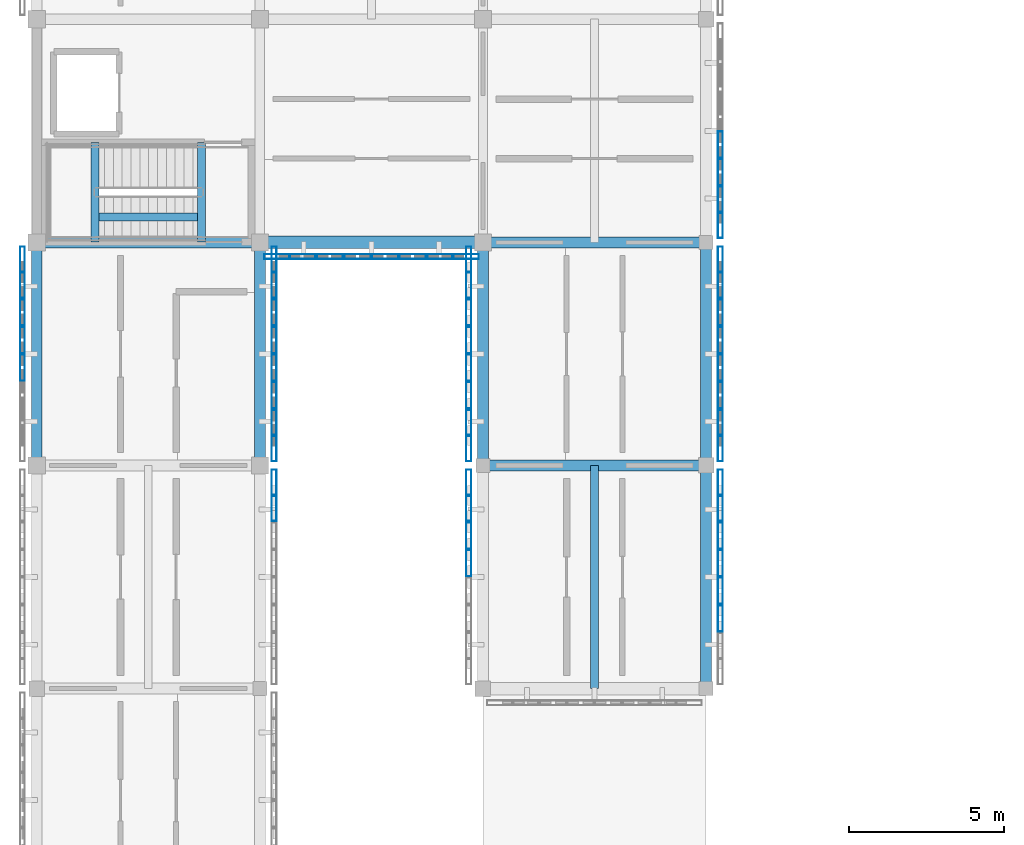
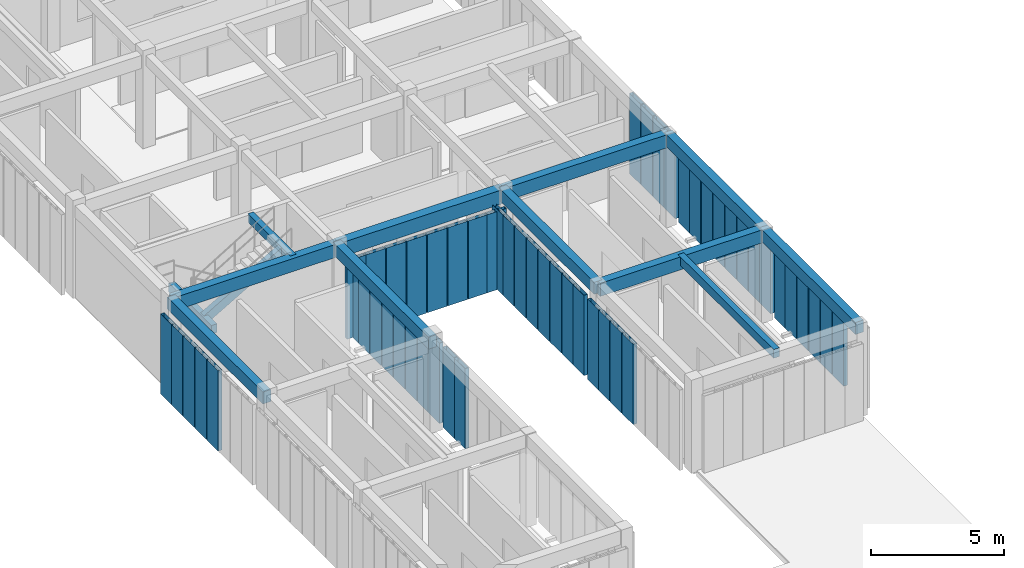
# One storey, part 4 of 91: 53 members, 13 beams, 9 elements without a shape of their own.
"""IFC4 building model written with IfcOpenShell, lengths in metres."""

from ifc_helpers import new_model, si_unit, direction, frame, origin, origin_2d, place, context, subcontext, project, spatial, rectangle, hollow_rectangle, extrude, material, material_profile, profile_set, type_object, element, aggregate, save


model = new_model("IFC4")

# Units and contexts
model_context = context("Model", 3, precision=1e-05, world=origin(), true_north=direction((0.0, 1.0)))
body_context = subcontext(model_context, "Body", "Model", "MODEL_VIEW")
ifc_project = project(units=[si_unit("LENGTHUNIT", "METRE"), si_unit("AREAUNIT", "SQUARE_METRE"), si_unit("VOLUMEUNIT", "CUBIC_METRE"), si_unit("PLANEANGLEUNIT", "RADIAN"), si_unit("MASSUNIT", "GRAM", prefix="KILO")], contexts=[model_context])

# Site, building, storey
site_placement = place(None, origin())
site = spatial("IfcSite", under=ifc_project, at=site_placement, CompositionType="ELEMENT")
building_placement = place(site_placement, origin())
building = spatial("IfcBuilding", under=site, at=building_placement, Name="Aldebral Square Health Centre", CompositionType="ELEMENT")
storey_placement = place(building_placement, frame((0.0, 0.0, 9.0)))
storey = spatial("IfcBuildingStorey", under=building, at=storey_placement, Name="L02", CompositionType="ELEMENT", Elevation=9.0)

# Beams
ifc_material_1 = material(Name="Concrete C40/50", Category="concrete")
ifc_material_profile_1 = material_profile(ifc_material_1, rectangle(XDim=0.39990234375, YDim=0.64990234375, at=origin_2d()), Name="RC 400x650")
ifc_profile_set_1 = profile_set([ifc_material_profile_1], Name="Concrete C40/50")
beam_type_1 = type_object("IfcBeamType", Name="BM-B1", PredefinedType="BEAM", material=ifc_profile_set_1)
beam_1_placement = place(storey_placement, frame((7.199951171875, 28.800048828125, 3.9150390625), z_axis=(1.0, 0.0, 0.0), x_axis=(0.0, 1.0, 0.0)))
element("IfcBeam", 1, at=beam_1_placement, inside=storey, type_object=beam_type_1, Name="L02 X-beam 2-3/G5", PredefinedType="BEAM", context=body_context, shape_type="SweptSolid", body=[
    extrude(rectangle(XDim=0.39990234375, YDim=0.64990234375, at=origin_2d()), origin(), (0.0, 0.0, 1.0), 7.199951171875),
])
ifc_material_profile_2 = material_profile(ifc_material_1, rectangle(XDim=0.35009765625, YDim=0.60009765625, at=origin_2d()), Name="RC 350x600")
ifc_profile_set_2 = profile_set([ifc_material_profile_2], Name="Concrete C40/50")
beam_type_2 = type_object("IfcBeamType", Name="BM-B2", PredefinedType="BEAM", material=ifc_profile_set_2)
beam_2_placement = place(storey_placement, frame((0.0, 28.800048828125, 3.93994140625), z_axis=(1.0, 0.0, 0.0), x_axis=(0.0, 1.0, 0.0)))
element("IfcBeam", 2, at=beam_2_placement, inside=storey, type_object=beam_type_2, Name="L02 X-beam 1-2/G5", PredefinedType="BEAM", context=body_context, shape_type="SweptSolid", body=[
    extrude(rectangle(XDim=0.35009765625, YDim=0.60009765625, at=origin_2d()), origin(), (0.0, 0.0, 1.0), 7.199951171875),
])
for number, where, z_axis, x_axis, name in (
    (3, (14.39990234375, 21.60009765625, 3.93994140625), (1.0, 0.0, 0.0), (0.0, 1.0, 0.0), "L02 X-beam 3-4/G4"),
    (4, (14.39990234375, 28.800048828125, 3.93994140625), (1.0, 0.0, 0.0), (0.0, 1.0, 0.0), "L02 X-beam 3-4/G5"),
):
    element("IfcBeam", number, at=place(storey_placement, frame(where, z_axis=z_axis, x_axis=x_axis)), inside=storey, type_object=beam_type_2, Name=name, PredefinedType="BEAM", context=body_context, shape_type="SweptSolid", body=[
        extrude(rectangle(XDim=0.35009765625, YDim=0.60009765625, at=origin_2d()), origin(), (0.0, 0.0, 1.0), 7.2001953125),
    ])
ifc_material_profile_3 = material_profile(ifc_material_1, rectangle(XDim=0.35009765625, YDim=0.550048828125, at=origin_2d()), Name="RC 350x550")
ifc_profile_set_3 = profile_set([ifc_material_profile_3], Name="Concrete C40/50")
beam_type_3 = type_object("IfcBeamType", Name="BM-B3", PredefinedType="BEAM", material=ifc_profile_set_3)
for number, where, z_axis, x_axis, name in (
    (5, (0.0, 21.60009765625, 3.965087890625), (0.0, 1.0, 0.0), (-1.0, 0.0, 0.0), "L02 Y-beam G1/4-5"),
    (6, (7.199951171875, 21.60009765625, 3.965087890625), (0.0, 1.0, 0.0), (-1.0, 0.0, 0.0), "L02 Y-beam G2/4-5"),
    (7, (14.39990234375, 21.60009765625, 3.965087890625), (0.0, 1.0, 0.0), (-1.0, 0.0, 0.0), "L02 Y-beam G3/4-5"),
):
    element("IfcBeam", number, at=place(storey_placement, frame(where, z_axis=z_axis, x_axis=x_axis)), inside=storey, type_object=beam_type_3, Name=name, PredefinedType="BEAM", context=body_context, shape_type="SweptSolid", body=[
        extrude(rectangle(XDim=0.35009765625, YDim=0.550048828125, at=origin_2d()), origin(), (0.0, 0.0, 1.0), 7.199951171875),
    ])
beam_3_placement = place(storey_placement, frame((21.60009765625, 14.39990234375, 3.965087890625), z_axis=(0.0, 1.0, 0.0), x_axis=(-1.0, 0.0, 0.0)))
element("IfcBeam", 8, at=beam_3_placement, inside=storey, type_object=beam_type_3, Name="L02 Y-beam G4/3-4", PredefinedType="BEAM", context=body_context, shape_type="SweptSolid", body=[
    extrude(rectangle(XDim=0.35009765625, YDim=0.550048828125, at=origin_2d()), origin(), (0.0, 0.0, 1.0), 7.2001953125),
])
beam_4_placement = place(storey_placement, frame((21.60009765625, 21.60009765625, 3.965087890625), z_axis=(0.0, 1.0, 0.0), x_axis=(-1.0, 0.0, 0.0)))
element("IfcBeam", 9, at=beam_4_placement, inside=storey, type_object=beam_type_3, Name="L02 Y-beam G4/4-5", PredefinedType="BEAM", context=body_context, shape_type="SweptSolid", body=[
    extrude(rectangle(XDim=0.35009765625, YDim=0.550048828125, at=origin_2d()), origin(), (0.0, 0.0, 1.0), 7.199951171875),
])
ifc_material_profile_4 = material_profile(ifc_material_1, rectangle(XDim=0.25, YDim=0.39990234375, at=origin_2d()), Name="RC 250x400")
ifc_profile_set_4 = profile_set([ifc_material_profile_4], Name="Concrete C40/50")
beam_type_4 = type_object("IfcBeamType", Name="BM-B6", PredefinedType="JOIST", material=ifc_profile_set_4)
beam_5_placement = place(storey_placement, frame((18.0, 14.39990234375, 4.0400390625), z_axis=(0.0, 1.0, 0.0), x_axis=(-1.0, 0.0, 0.0)))
element("IfcBeam", 10, at=beam_5_placement, inside=storey, type_object=beam_type_4, Name="L02 secondary rib 3.3", PredefinedType="JOIST", context=body_context, shape_type="SweptSolid", body=[
    extrude(rectangle(XDim=0.25, YDim=0.39990234375, at=origin_2d()), origin(), (0.0, 0.0, 1.0), 7.2001953125),
])
for number, where, z_axis, x_axis, name in (
    (11, (1.8798828125, 28.81005859375, 2.050048828125), (0.0, 1.0, 0.0), (-1.0, 0.0, 0.0), "L02 WC-C5 half-landing beam"),
    (12, (5.320068359375, 28.81005859375, 4.0400390625), (0.0, 1.0, 0.0), (-1.0, 0.0, 0.0), "L02 WC-C5 upper landing beam"),
):
    element("IfcBeam", number, at=place(storey_placement, frame(where, z_axis=z_axis, x_axis=x_axis)), inside=storey, type_object=beam_type_4, Name=name, PredefinedType="JOIST", context=body_context, shape_type="SweptSolid", body=[
        extrude(rectangle(XDim=0.25, YDim=0.39990234375, at=origin_2d()), origin(), (0.0, 0.0, 1.0), 3.219970703125),
    ])
beam_6_placement = place(storey_placement, frame((1.8798828125, 29.6201171875, 2.050048828125), z_axis=(0.865611281387, 0.0, 0.500716596025), x_axis=(0.0, 1.0, 0.0)))
element("IfcBeam", 13, at=beam_6_placement, inside=storey, type_object=beam_type_4, Name="L02 WC-C5 flight stringer beam", PredefinedType="JOIST", context=body_context, shape_type="SweptSolid", body=[
    extrude(rectangle(XDim=0.25, YDim=0.39990234375, at=origin_2d()), origin(), (0.0, 0.0, 1.0), 3.974365234375),
])

# Curtain wall, members
ifc_material_2 = material(Name="Aluminium and low-E solar glass", Category="aluminium")
curtain_wall_type = type_object("IfcCurtainWallType", Name="CW-FIN-SYS", PredefinedType="USERDEFINED", material=ifc_material_2)
curtain_wall_1_placement = place(storey_placement, origin())
curtain_wall_1 = element("IfcCurtainWall", 14, at=curtain_wall_1_placement, inside=storey, type_object=curtain_wall_type, Name="L02 V6 finned curtain wall L02-V6-00-02-E", ObjectType="SOLAR_CURTAIN_WALL", PredefinedType="USERDEFINED")
ifc_material_3 = material(Name="Sienna-terracotta clad aluminium fin", Category="masonry")
ifc_material_profile_5 = material_profile(ifc_material_3, hollow_rectangle(XDim=0.159912109375, YDim=0.85009765625, WallThickness=0.006103515625, at=origin_2d()), Name="FIN 160x850x6")
ifc_profile_set_5 = profile_set([ifc_material_profile_5], Name="Sienna-terracotta clad aluminium fin")
member_type = type_object("IfcMemberType", Name="CWM-FIN", PredefinedType="MULLION", material=ifc_profile_set_5)
member_1_placement = place(storey_placement, frame((7.659912109375, 20.228515625, 0.0), z_axis=(0.0, 0.0, 1.0), x_axis=(-1.0, 0.0, 0.0)))
member_1 = element("IfcMember", 15, at=member_1_placement, type_object=member_type, Name="CW1 mullion 7", PredefinedType="MULLION", context=body_context, shape_type="SweptSolid", body=[
    extrude(hollow_rectangle(XDim=0.159912109375, YDim=0.85009765625, WallThickness=0.006103515625, at=origin_2d()), origin(), (0.0, 0.0, 1.0), 3.68994140625),
])
member_2_placement = place(storey_placement, frame((7.659912109375, 21.0400390625, 0.0), z_axis=(0.0, 0.0, 1.0), x_axis=(-1.0, 0.0, 0.0)))
member_2 = element("IfcMember", 16, at=member_2_placement, type_object=member_type, Name="CW1 mullion 8", PredefinedType="MULLION", context=body_context, shape_type="SweptSolid", body=[
    extrude(hollow_rectangle(XDim=0.159912109375, YDim=0.85009765625, WallThickness=0.006103515625, at=origin_2d()), origin(), (0.0, 0.0, 1.0), 3.68994140625),
])
aggregate(curtain_wall_1, [member_1, member_2])

curtain_wall_2_placement = place(storey_placement, origin())
curtain_wall_2 = element("IfcCurtainWall", 17, at=curtain_wall_2_placement, inside=storey, type_object=curtain_wall_type, Name="L02 V6 finned curtain wall L02-V6-00-03-W", ObjectType="SOLAR_CURTAIN_WALL", PredefinedType="USERDEFINED")
member_3_placement = place(storey_placement, frame((-0.4599609375, 28.239990234375, 0.0), z_axis=(0.0, 0.0, 1.0), x_axis=(1.0, 0.0, 0.0)))
member_3 = element("IfcMember", 18, at=member_3_placement, type_object=member_type, Name="CW1 mullion 1", PredefinedType="MULLION", context=body_context, shape_type="SweptSolid", body=[
    extrude(hollow_rectangle(XDim=0.159912109375, YDim=0.85009765625, WallThickness=0.006103515625, at=origin_2d()), origin(), (0.0, 0.0, 1.0), 3.68994140625),
])
member_4_placement = place(storey_placement, frame((-0.4599609375, 27.428466796875, 0.0), z_axis=(0.0, 0.0, 1.0), x_axis=(1.0, 0.0, 0.0)))
member_4 = element("IfcMember", 19, at=member_4_placement, type_object=member_type, Name="CW1 mullion 2", PredefinedType="MULLION", context=body_context, shape_type="SweptSolid", body=[
    extrude(hollow_rectangle(XDim=0.159912109375, YDim=0.85009765625, WallThickness=0.006103515625, at=origin_2d()), origin(), (0.0, 0.0, 1.0), 3.68994140625),
])
member_5_placement = place(storey_placement, frame((-0.4599609375, 26.537109375, 0.0), z_axis=(0.0, 0.0, 1.0), x_axis=(1.0, 0.0, 0.0)))
member_5 = element("IfcMember", 20, at=member_5_placement, type_object=member_type, Name="CW1 mullion 3", PredefinedType="MULLION", context=body_context, shape_type="SweptSolid", body=[
    extrude(hollow_rectangle(XDim=0.159912109375, YDim=0.85009765625, WallThickness=0.006103515625, at=origin_2d()), origin(), (0.0, 0.0, 1.0), 3.68994140625),
])
member_6_placement = place(storey_placement, frame((-0.4599609375, 25.645751953125, 0.0), z_axis=(0.0, 0.0, 1.0), x_axis=(1.0, 0.0, 0.0)))
member_6 = element("IfcMember", 21, at=member_6_placement, type_object=member_type, Name="CW1 mullion 4", PredefinedType="MULLION", context=body_context, shape_type="SweptSolid", body=[
    extrude(hollow_rectangle(XDim=0.159912109375, YDim=0.85009765625, WallThickness=0.006103515625, at=origin_2d()), origin(), (0.0, 0.0, 1.0), 3.68994140625),
])
member_7_placement = place(storey_placement, frame((-0.4599609375, 24.75439453125, 0.0), z_axis=(0.0, 0.0, 1.0), x_axis=(1.0, 0.0, 0.0)))
member_7 = element("IfcMember", 22, at=member_7_placement, type_object=member_type, Name="CW1 mullion 5", PredefinedType="MULLION", context=body_context, shape_type="SweptSolid", body=[
    extrude(hollow_rectangle(XDim=0.159912109375, YDim=0.85009765625, WallThickness=0.006103515625, at=origin_2d()), origin(), (0.0, 0.0, 1.0), 3.68994140625),
])
aggregate(curtain_wall_2, [member_3, member_4, member_5, member_6, member_7])

curtain_wall_3_placement = place(storey_placement, origin())
curtain_wall_3 = element("IfcCurtainWall", 23, at=curtain_wall_3_placement, inside=storey, type_object=curtain_wall_type, Name="L02 V6 finned curtain wall L02-V6-00-03-E", ObjectType="SOLAR_CURTAIN_WALL", PredefinedType="USERDEFINED")
member_8_placement = place(storey_placement, frame((7.659912109375, 22.159912109375, 0.0), z_axis=(0.0, 0.0, 1.0), x_axis=(-1.0, 0.0, 0.0)))
member_8 = element("IfcMember", 24, at=member_8_placement, type_object=member_type, Name="CW1 mullion 1", PredefinedType="MULLION", context=body_context, shape_type="SweptSolid", body=[
    extrude(hollow_rectangle(XDim=0.159912109375, YDim=0.85009765625, WallThickness=0.006103515625, at=origin_2d()), origin(), (0.0, 0.0, 1.0), 3.68994140625),
])
member_9_placement = place(storey_placement, frame((7.659912109375, 22.971435546875, 0.0), z_axis=(0.0, 0.0, 1.0), x_axis=(-1.0, 0.0, 0.0)))
member_9 = element("IfcMember", 25, at=member_9_placement, type_object=member_type, Name="CW1 mullion 2", PredefinedType="MULLION", context=body_context, shape_type="SweptSolid", body=[
    extrude(hollow_rectangle(XDim=0.159912109375, YDim=0.85009765625, WallThickness=0.006103515625, at=origin_2d()), origin(), (0.0, 0.0, 1.0), 3.68994140625),
])
member_10_placement = place(storey_placement, frame((7.659912109375, 23.86279296875, 0.0), z_axis=(0.0, 0.0, 1.0), x_axis=(-1.0, 0.0, 0.0)))
member_10 = element("IfcMember", 26, at=member_10_placement, type_object=member_type, Name="CW1 mullion 3", PredefinedType="MULLION", context=body_context, shape_type="SweptSolid", body=[
    extrude(hollow_rectangle(XDim=0.159912109375, YDim=0.85009765625, WallThickness=0.006103515625, at=origin_2d()), origin(), (0.0, 0.0, 1.0), 3.68994140625),
])
member_11_placement = place(storey_placement, frame((7.659912109375, 24.75439453125, 0.0), z_axis=(0.0, 0.0, 1.0), x_axis=(-1.0, 0.0, 0.0)))
member_11 = element("IfcMember", 27, at=member_11_placement, type_object=member_type, Name="CW1 mullion 4", PredefinedType="MULLION", context=body_context, shape_type="SweptSolid", body=[
    extrude(hollow_rectangle(XDim=0.159912109375, YDim=0.85009765625, WallThickness=0.006103515625, at=origin_2d()), origin(), (0.0, 0.0, 1.0), 3.68994140625),
])
member_12_placement = place(storey_placement, frame((7.659912109375, 25.645751953125, 0.0), z_axis=(0.0, 0.0, 1.0), x_axis=(-1.0, 0.0, 0.0)))
member_12 = element("IfcMember", 28, at=member_12_placement, type_object=member_type, Name="CW1 mullion 5", PredefinedType="MULLION", context=body_context, shape_type="SweptSolid", body=[
    extrude(hollow_rectangle(XDim=0.159912109375, YDim=0.85009765625, WallThickness=0.006103515625, at=origin_2d()), origin(), (0.0, 0.0, 1.0), 3.68994140625),
])
member_13_placement = place(storey_placement, frame((7.659912109375, 26.537109375, 0.0), z_axis=(0.0, 0.0, 1.0), x_axis=(-1.0, 0.0, 0.0)))
member_13 = element("IfcMember", 29, at=member_13_placement, type_object=member_type, Name="CW1 mullion 6", PredefinedType="MULLION", context=body_context, shape_type="SweptSolid", body=[
    extrude(hollow_rectangle(XDim=0.159912109375, YDim=0.85009765625, WallThickness=0.006103515625, at=origin_2d()), origin(), (0.0, 0.0, 1.0), 3.68994140625),
])
member_14_placement = place(storey_placement, frame((7.659912109375, 27.428466796875, 0.0), z_axis=(0.0, 0.0, 1.0), x_axis=(-1.0, 0.0, 0.0)))
member_14 = element("IfcMember", 30, at=member_14_placement, type_object=member_type, Name="CW1 mullion 7", PredefinedType="MULLION", context=body_context, shape_type="SweptSolid", body=[
    extrude(hollow_rectangle(XDim=0.159912109375, YDim=0.85009765625, WallThickness=0.006103515625, at=origin_2d()), origin(), (0.0, 0.0, 1.0), 3.68994140625),
])
member_15_placement = place(storey_placement, frame((7.659912109375, 28.239990234375, 0.0), z_axis=(0.0, 0.0, 1.0), x_axis=(-1.0, 0.0, 0.0)))
member_15 = element("IfcMember", 31, at=member_15_placement, type_object=member_type, Name="CW1 mullion 8", PredefinedType="MULLION", context=body_context, shape_type="SweptSolid", body=[
    extrude(hollow_rectangle(XDim=0.159912109375, YDim=0.85009765625, WallThickness=0.006103515625, at=origin_2d()), origin(), (0.0, 0.0, 1.0), 3.68994140625),
])
aggregate(curtain_wall_3, [member_8, member_9, member_10, member_11, member_12, member_13, member_14, member_15])

curtain_wall_4_placement = place(storey_placement, origin())
curtain_wall_4 = element("IfcCurtainWall", 32, at=curtain_wall_4_placement, inside=storey, type_object=curtain_wall_type, Name="L02 V6 finned curtain wall L02-V6-01-04-S", ObjectType="SOLAR_CURTAIN_WALL", PredefinedType="USERDEFINED")
member_16_placement = place(storey_placement, frame((7.760009765625, 28.340087890625, 0.0), z_axis=(0.0, 0.0, 1.0), x_axis=(0.0, 1.0, 0.0)))
member_16 = element("IfcMember", 33, at=member_16_placement, type_object=member_type, Name="CW1 mullion 1", PredefinedType="MULLION", context=body_context, shape_type="SweptSolid", body=[
    extrude(hollow_rectangle(XDim=0.159912109375, YDim=0.85009765625, WallThickness=0.006103515625, at=origin_2d()), origin(), (0.0, 0.0, 1.0), 3.590087890625),
])
member_17_placement = place(storey_placement, frame((8.571533203125, 28.340087890625, 0.0), z_axis=(0.0, 0.0, 1.0), x_axis=(0.0, 1.0, 0.0)))
member_17 = element("IfcMember", 34, at=member_17_placement, type_object=member_type, Name="CW1 mullion 2", PredefinedType="MULLION", context=body_context, shape_type="SweptSolid", body=[
    extrude(hollow_rectangle(XDim=0.159912109375, YDim=0.85009765625, WallThickness=0.006103515625, at=origin_2d()), origin(), (0.0, 0.0, 1.0), 3.590087890625),
])
member_18_placement = place(storey_placement, frame((9.462890625, 28.340087890625, 0.0), z_axis=(0.0, 0.0, 1.0), x_axis=(0.0, 1.0, 0.0)))
member_18 = element("IfcMember", 35, at=member_18_placement, type_object=member_type, Name="CW1 mullion 3", PredefinedType="MULLION", context=body_context, shape_type="SweptSolid", body=[
    extrude(hollow_rectangle(XDim=0.159912109375, YDim=0.85009765625, WallThickness=0.006103515625, at=origin_2d()), origin(), (0.0, 0.0, 1.0), 3.590087890625),
])
member_19_placement = place(storey_placement, frame((10.354248046875, 28.340087890625, 0.0), z_axis=(0.0, 0.0, 1.0), x_axis=(0.0, 1.0, 0.0)))
member_19 = element("IfcMember", 36, at=member_19_placement, type_object=member_type, Name="CW1 mullion 4", PredefinedType="MULLION", context=body_context, shape_type="SweptSolid", body=[
    extrude(hollow_rectangle(XDim=0.159912109375, YDim=0.85009765625, WallThickness=0.006103515625, at=origin_2d()), origin(), (0.0, 0.0, 1.0), 3.590087890625),
])
member_20_placement = place(storey_placement, frame((11.24560546875, 28.340087890625, 0.0), z_axis=(0.0, 0.0, 1.0), x_axis=(0.0, 1.0, 0.0)))
member_20 = element("IfcMember", 37, at=member_20_placement, type_object=member_type, Name="CW1 mullion 5", PredefinedType="MULLION", context=body_context, shape_type="SweptSolid", body=[
    extrude(hollow_rectangle(XDim=0.159912109375, YDim=0.85009765625, WallThickness=0.006103515625, at=origin_2d()), origin(), (0.0, 0.0, 1.0), 3.590087890625),
])
member_21_placement = place(storey_placement, frame((12.13720703125, 28.340087890625, 0.0), z_axis=(0.0, 0.0, 1.0), x_axis=(0.0, 1.0, 0.0)))
member_21 = element("IfcMember", 38, at=member_21_placement, type_object=member_type, Name="CW1 mullion 6", PredefinedType="MULLION", context=body_context, shape_type="SweptSolid", body=[
    extrude(hollow_rectangle(XDim=0.159912109375, YDim=0.85009765625, WallThickness=0.006103515625, at=origin_2d()), origin(), (0.0, 0.0, 1.0), 3.590087890625),
])
member_22_placement = place(storey_placement, frame((13.028564453125, 28.340087890625, 0.0), z_axis=(0.0, 0.0, 1.0), x_axis=(0.0, 1.0, 0.0)))
member_22 = element("IfcMember", 39, at=member_22_placement, type_object=member_type, Name="CW1 mullion 7", PredefinedType="MULLION", context=body_context, shape_type="SweptSolid", body=[
    extrude(hollow_rectangle(XDim=0.159912109375, YDim=0.85009765625, WallThickness=0.006103515625, at=origin_2d()), origin(), (0.0, 0.0, 1.0), 3.590087890625),
])
member_23_placement = place(storey_placement, frame((13.840087890625, 28.340087890625, 0.0), z_axis=(0.0, 0.0, 1.0), x_axis=(0.0, 1.0, 0.0)))
member_23 = element("IfcMember", 40, at=member_23_placement, type_object=member_type, Name="CW1 mullion 8", PredefinedType="MULLION", context=body_context, shape_type="SweptSolid", body=[
    extrude(hollow_rectangle(XDim=0.159912109375, YDim=0.85009765625, WallThickness=0.006103515625, at=origin_2d()), origin(), (0.0, 0.0, 1.0), 3.590087890625),
])
aggregate(curtain_wall_4, [member_16, member_17, member_18, member_19, member_20, member_21, member_22, member_23])

curtain_wall_5_placement = place(storey_placement, origin())
curtain_wall_5 = element("IfcCurtainWall", 41, at=curtain_wall_5_placement, inside=storey, type_object=curtain_wall_type, Name="L02 V6 finned curtain wall L02-V6-02-02-W", ObjectType="SOLAR_CURTAIN_WALL", PredefinedType="USERDEFINED")
member_24_placement = place(storey_placement, frame((13.93994140625, 21.0400390625, 0.0), z_axis=(0.0, 0.0, 1.0), x_axis=(1.0, 0.0, 0.0)))
member_24 = element("IfcMember", 42, at=member_24_placement, type_object=member_type, Name="CW1 mullion 1", PredefinedType="MULLION", context=body_context, shape_type="SweptSolid", body=[
    extrude(hollow_rectangle(XDim=0.159912109375, YDim=0.85009765625, WallThickness=0.006103515625, at=origin_2d()), origin(), (0.0, 0.0, 1.0), 3.68994140625),
])
member_25_placement = place(storey_placement, frame((13.93994140625, 20.228515625, 0.0), z_axis=(0.0, 0.0, 1.0), x_axis=(1.0, 0.0, 0.0)))
member_25 = element("IfcMember", 43, at=member_25_placement, type_object=member_type, Name="CW1 mullion 2", PredefinedType="MULLION", context=body_context, shape_type="SweptSolid", body=[
    extrude(hollow_rectangle(XDim=0.159912109375, YDim=0.85009765625, WallThickness=0.006103515625, at=origin_2d()), origin(), (0.0, 0.0, 1.0), 3.68994140625),
])
member_26_placement = place(storey_placement, frame((13.93994140625, 19.337158203125, 0.0), z_axis=(0.0, 0.0, 1.0), x_axis=(1.0, 0.0, 0.0)))
member_26 = element("IfcMember", 44, at=member_26_placement, type_object=member_type, Name="CW1 mullion 3", PredefinedType="MULLION", context=body_context, shape_type="SweptSolid", body=[
    extrude(hollow_rectangle(XDim=0.159912109375, YDim=0.85009765625, WallThickness=0.006103515625, at=origin_2d()), origin(), (0.0, 0.0, 1.0), 3.68994140625),
])
member_27_placement = place(storey_placement, frame((13.93994140625, 18.44580078125, 0.0), z_axis=(0.0, 0.0, 1.0), x_axis=(1.0, 0.0, 0.0)))
member_27 = element("IfcMember", 45, at=member_27_placement, type_object=member_type, Name="CW1 mullion 4", PredefinedType="MULLION", context=body_context, shape_type="SweptSolid", body=[
    extrude(hollow_rectangle(XDim=0.159912109375, YDim=0.85009765625, WallThickness=0.006103515625, at=origin_2d()), origin(), (0.0, 0.0, 1.0), 3.68994140625),
])
aggregate(curtain_wall_5, [member_24, member_25, member_26, member_27])

curtain_wall_6_placement = place(storey_placement, origin())
curtain_wall_6 = element("IfcCurtainWall", 46, at=curtain_wall_6_placement, inside=storey, type_object=curtain_wall_type, Name="L02 V6 finned curtain wall L02-V6-02-02-E", ObjectType="SOLAR_CURTAIN_WALL", PredefinedType="USERDEFINED")
member_28_placement = place(storey_placement, frame((22.06005859375, 16.662841796875, 0.0), z_axis=(0.0, 0.0, 1.0), x_axis=(-1.0, 0.0, 0.0)))
member_28 = element("IfcMember", 47, at=member_28_placement, type_object=member_type, Name="CW1 mullion 3", PredefinedType="MULLION", context=body_context, shape_type="SweptSolid", body=[
    extrude(hollow_rectangle(XDim=0.159912109375, YDim=0.85009765625, WallThickness=0.006103515625, at=origin_2d()), origin(), (0.0, 0.0, 1.0), 3.68994140625),
])
member_29_placement = place(storey_placement, frame((22.06005859375, 17.55419921875, 0.0), z_axis=(0.0, 0.0, 1.0), x_axis=(-1.0, 0.0, 0.0)))
member_29 = element("IfcMember", 48, at=member_29_placement, type_object=member_type, Name="CW1 mullion 4", PredefinedType="MULLION", context=body_context, shape_type="SweptSolid", body=[
    extrude(hollow_rectangle(XDim=0.159912109375, YDim=0.85009765625, WallThickness=0.006103515625, at=origin_2d()), origin(), (0.0, 0.0, 1.0), 3.68994140625),
])
member_30_placement = place(storey_placement, frame((22.06005859375, 18.44580078125, 0.0), z_axis=(0.0, 0.0, 1.0), x_axis=(-1.0, 0.0, 0.0)))
member_30 = element("IfcMember", 49, at=member_30_placement, type_object=member_type, Name="CW1 mullion 5", PredefinedType="MULLION", context=body_context, shape_type="SweptSolid", body=[
    extrude(hollow_rectangle(XDim=0.159912109375, YDim=0.85009765625, WallThickness=0.006103515625, at=origin_2d()), origin(), (0.0, 0.0, 1.0), 3.68994140625),
])
member_31_placement = place(storey_placement, frame((22.06005859375, 19.337158203125, 0.0), z_axis=(0.0, 0.0, 1.0), x_axis=(-1.0, 0.0, 0.0)))
member_31 = element("IfcMember", 50, at=member_31_placement, type_object=member_type, Name="CW1 mullion 6", PredefinedType="MULLION", context=body_context, shape_type="SweptSolid", body=[
    extrude(hollow_rectangle(XDim=0.159912109375, YDim=0.85009765625, WallThickness=0.006103515625, at=origin_2d()), origin(), (0.0, 0.0, 1.0), 3.68994140625),
])
member_32_placement = place(storey_placement, frame((22.06005859375, 20.228515625, 0.0), z_axis=(0.0, 0.0, 1.0), x_axis=(-1.0, 0.0, 0.0)))
member_32 = element("IfcMember", 51, at=member_32_placement, type_object=member_type, Name="CW1 mullion 7", PredefinedType="MULLION", context=body_context, shape_type="SweptSolid", body=[
    extrude(hollow_rectangle(XDim=0.159912109375, YDim=0.85009765625, WallThickness=0.006103515625, at=origin_2d()), origin(), (0.0, 0.0, 1.0), 3.68994140625),
])
member_33_placement = place(storey_placement, frame((22.06005859375, 21.0400390625, 0.0), z_axis=(0.0, 0.0, 1.0), x_axis=(-1.0, 0.0, 0.0)))
member_33 = element("IfcMember", 52, at=member_33_placement, type_object=member_type, Name="CW1 mullion 8", PredefinedType="MULLION", context=body_context, shape_type="SweptSolid", body=[
    extrude(hollow_rectangle(XDim=0.159912109375, YDim=0.85009765625, WallThickness=0.006103515625, at=origin_2d()), origin(), (0.0, 0.0, 1.0), 3.68994140625),
])
aggregate(curtain_wall_6, [member_28, member_29, member_30, member_31, member_32, member_33])

curtain_wall_7_placement = place(storey_placement, origin())
curtain_wall_7 = element("IfcCurtainWall", 53, at=curtain_wall_7_placement, inside=storey, type_object=curtain_wall_type, Name="L02 V6 finned curtain wall L02-V6-02-03-W", ObjectType="SOLAR_CURTAIN_WALL", PredefinedType="USERDEFINED")
member_34_placement = place(storey_placement, frame((13.93994140625, 28.239990234375, 0.0), z_axis=(0.0, 0.0, 1.0), x_axis=(1.0, 0.0, 0.0)))
member_34 = element("IfcMember", 54, at=member_34_placement, type_object=member_type, Name="CW1 mullion 1", PredefinedType="MULLION", context=body_context, shape_type="SweptSolid", body=[
    extrude(hollow_rectangle(XDim=0.159912109375, YDim=0.85009765625, WallThickness=0.006103515625, at=origin_2d()), origin(), (0.0, 0.0, 1.0), 3.68994140625),
])
member_35_placement = place(storey_placement, frame((13.93994140625, 27.428466796875, 0.0), z_axis=(0.0, 0.0, 1.0), x_axis=(1.0, 0.0, 0.0)))
member_35 = element("IfcMember", 55, at=member_35_placement, type_object=member_type, Name="CW1 mullion 2", PredefinedType="MULLION", context=body_context, shape_type="SweptSolid", body=[
    extrude(hollow_rectangle(XDim=0.159912109375, YDim=0.85009765625, WallThickness=0.006103515625, at=origin_2d()), origin(), (0.0, 0.0, 1.0), 3.68994140625),
])
member_36_placement = place(storey_placement, frame((13.93994140625, 26.537109375, 0.0), z_axis=(0.0, 0.0, 1.0), x_axis=(1.0, 0.0, 0.0)))
member_36 = element("IfcMember", 56, at=member_36_placement, type_object=member_type, Name="CW1 mullion 3", PredefinedType="MULLION", context=body_context, shape_type="SweptSolid", body=[
    extrude(hollow_rectangle(XDim=0.159912109375, YDim=0.85009765625, WallThickness=0.006103515625, at=origin_2d()), origin(), (0.0, 0.0, 1.0), 3.68994140625),
])
member_37_placement = place(storey_placement, frame((13.93994140625, 25.645751953125, 0.0), z_axis=(0.0, 0.0, 1.0), x_axis=(1.0, 0.0, 0.0)))
member_37 = element("IfcMember", 57, at=member_37_placement, type_object=member_type, Name="CW1 mullion 4", PredefinedType="MULLION", context=body_context, shape_type="SweptSolid", body=[
    extrude(hollow_rectangle(XDim=0.159912109375, YDim=0.85009765625, WallThickness=0.006103515625, at=origin_2d()), origin(), (0.0, 0.0, 1.0), 3.68994140625),
])
member_38_placement = place(storey_placement, frame((13.93994140625, 24.75439453125, 0.0), z_axis=(0.0, 0.0, 1.0), x_axis=(1.0, 0.0, 0.0)))
member_38 = element("IfcMember", 58, at=member_38_placement, type_object=member_type, Name="CW1 mullion 5", PredefinedType="MULLION", context=body_context, shape_type="SweptSolid", body=[
    extrude(hollow_rectangle(XDim=0.159912109375, YDim=0.85009765625, WallThickness=0.006103515625, at=origin_2d()), origin(), (0.0, 0.0, 1.0), 3.68994140625),
])
member_39_placement = place(storey_placement, frame((13.93994140625, 23.86279296875, 0.0), z_axis=(0.0, 0.0, 1.0), x_axis=(1.0, 0.0, 0.0)))
member_39 = element("IfcMember", 59, at=member_39_placement, type_object=member_type, Name="CW1 mullion 6", PredefinedType="MULLION", context=body_context, shape_type="SweptSolid", body=[
    extrude(hollow_rectangle(XDim=0.159912109375, YDim=0.85009765625, WallThickness=0.006103515625, at=origin_2d()), origin(), (0.0, 0.0, 1.0), 3.68994140625),
])
member_40_placement = place(storey_placement, frame((13.93994140625, 22.971435546875, 0.0), z_axis=(0.0, 0.0, 1.0), x_axis=(1.0, 0.0, 0.0)))
member_40 = element("IfcMember", 60, at=member_40_placement, type_object=member_type, Name="CW1 mullion 7", PredefinedType="MULLION", context=body_context, shape_type="SweptSolid", body=[
    extrude(hollow_rectangle(XDim=0.159912109375, YDim=0.85009765625, WallThickness=0.006103515625, at=origin_2d()), origin(), (0.0, 0.0, 1.0), 3.68994140625),
])
member_41_placement = place(storey_placement, frame((13.93994140625, 22.159912109375, 0.0), z_axis=(0.0, 0.0, 1.0), x_axis=(1.0, 0.0, 0.0)))
member_41 = element("IfcMember", 61, at=member_41_placement, type_object=member_type, Name="CW1 mullion 8", PredefinedType="MULLION", context=body_context, shape_type="SweptSolid", body=[
    extrude(hollow_rectangle(XDim=0.159912109375, YDim=0.85009765625, WallThickness=0.006103515625, at=origin_2d()), origin(), (0.0, 0.0, 1.0), 3.68994140625),
])
aggregate(curtain_wall_7, [member_34, member_35, member_36, member_37, member_38, member_39, member_40, member_41])

curtain_wall_8_placement = place(storey_placement, origin())
curtain_wall_8 = element("IfcCurtainWall", 62, at=curtain_wall_8_placement, inside=storey, type_object=curtain_wall_type, Name="L02 V6 finned curtain wall L02-V6-02-03-E", ObjectType="SOLAR_CURTAIN_WALL", PredefinedType="USERDEFINED")
member_42_placement = place(storey_placement, frame((22.06005859375, 22.159912109375, 0.0), z_axis=(0.0, 0.0, 1.0), x_axis=(-1.0, 0.0, 0.0)))
member_42 = element("IfcMember", 63, at=member_42_placement, type_object=member_type, Name="CW1 mullion 1", PredefinedType="MULLION", context=body_context, shape_type="SweptSolid", body=[
    extrude(hollow_rectangle(XDim=0.159912109375, YDim=0.85009765625, WallThickness=0.006103515625, at=origin_2d()), origin(), (0.0, 0.0, 1.0), 3.68994140625),
])
member_43_placement = place(storey_placement, frame((22.06005859375, 22.971435546875, 0.0), z_axis=(0.0, 0.0, 1.0), x_axis=(-1.0, 0.0, 0.0)))
member_43 = element("IfcMember", 64, at=member_43_placement, type_object=member_type, Name="CW1 mullion 2", PredefinedType="MULLION", context=body_context, shape_type="SweptSolid", body=[
    extrude(hollow_rectangle(XDim=0.159912109375, YDim=0.85009765625, WallThickness=0.006103515625, at=origin_2d()), origin(), (0.0, 0.0, 1.0), 3.68994140625),
])
member_44_placement = place(storey_placement, frame((22.06005859375, 23.86279296875, 0.0), z_axis=(0.0, 0.0, 1.0), x_axis=(-1.0, 0.0, 0.0)))
member_44 = element("IfcMember", 65, at=member_44_placement, type_object=member_type, Name="CW1 mullion 3", PredefinedType="MULLION", context=body_context, shape_type="SweptSolid", body=[
    extrude(hollow_rectangle(XDim=0.159912109375, YDim=0.85009765625, WallThickness=0.006103515625, at=origin_2d()), origin(), (0.0, 0.0, 1.0), 3.68994140625),
])
member_45_placement = place(storey_placement, frame((22.06005859375, 24.75439453125, 0.0), z_axis=(0.0, 0.0, 1.0), x_axis=(-1.0, 0.0, 0.0)))
member_45 = element("IfcMember", 66, at=member_45_placement, type_object=member_type, Name="CW1 mullion 4", PredefinedType="MULLION", context=body_context, shape_type="SweptSolid", body=[
    extrude(hollow_rectangle(XDim=0.159912109375, YDim=0.85009765625, WallThickness=0.006103515625, at=origin_2d()), origin(), (0.0, 0.0, 1.0), 3.68994140625),
])
member_46_placement = place(storey_placement, frame((22.06005859375, 25.645751953125, 0.0), z_axis=(0.0, 0.0, 1.0), x_axis=(-1.0, 0.0, 0.0)))
member_46 = element("IfcMember", 67, at=member_46_placement, type_object=member_type, Name="CW1 mullion 5", PredefinedType="MULLION", context=body_context, shape_type="SweptSolid", body=[
    extrude(hollow_rectangle(XDim=0.159912109375, YDim=0.85009765625, WallThickness=0.006103515625, at=origin_2d()), origin(), (0.0, 0.0, 1.0), 3.68994140625),
])
member_47_placement = place(storey_placement, frame((22.06005859375, 26.537109375, 0.0), z_axis=(0.0, 0.0, 1.0), x_axis=(-1.0, 0.0, 0.0)))
member_47 = element("IfcMember", 68, at=member_47_placement, type_object=member_type, Name="CW1 mullion 6", PredefinedType="MULLION", context=body_context, shape_type="SweptSolid", body=[
    extrude(hollow_rectangle(XDim=0.159912109375, YDim=0.85009765625, WallThickness=0.006103515625, at=origin_2d()), origin(), (0.0, 0.0, 1.0), 3.68994140625),
])
member_48_placement = place(storey_placement, frame((22.06005859375, 27.428466796875, 0.0), z_axis=(0.0, 0.0, 1.0), x_axis=(-1.0, 0.0, 0.0)))
member_48 = element("IfcMember", 69, at=member_48_placement, type_object=member_type, Name="CW1 mullion 7", PredefinedType="MULLION", context=body_context, shape_type="SweptSolid", body=[
    extrude(hollow_rectangle(XDim=0.159912109375, YDim=0.85009765625, WallThickness=0.006103515625, at=origin_2d()), origin(), (0.0, 0.0, 1.0), 3.68994140625),
])
member_49_placement = place(storey_placement, frame((22.06005859375, 28.239990234375, 0.0), z_axis=(0.0, 0.0, 1.0), x_axis=(-1.0, 0.0, 0.0)))
member_49 = element("IfcMember", 70, at=member_49_placement, type_object=member_type, Name="CW1 mullion 8", PredefinedType="MULLION", context=body_context, shape_type="SweptSolid", body=[
    extrude(hollow_rectangle(XDim=0.159912109375, YDim=0.85009765625, WallThickness=0.006103515625, at=origin_2d()), origin(), (0.0, 0.0, 1.0), 3.68994140625),
])
aggregate(curtain_wall_8, [member_42, member_43, member_44, member_45, member_46, member_47, member_48, member_49])

curtain_wall_9_placement = place(storey_placement, origin())
curtain_wall_9 = element("IfcCurtainWall", 71, at=curtain_wall_9_placement, inside=storey, type_object=curtain_wall_type, Name="L02 V6 finned curtain wall L02-V6-02-04-E", ObjectType="SOLAR_CURTAIN_WALL", PredefinedType="USERDEFINED")
member_50_placement = place(storey_placement, frame((22.06005859375, 29.360107421875, 0.0), z_axis=(0.0, 0.0, 1.0), x_axis=(-1.0, 0.0, 0.0)))
member_50 = element("IfcMember", 72, at=member_50_placement, type_object=member_type, Name="CW1 mullion 1", PredefinedType="MULLION", context=body_context, shape_type="SweptSolid", body=[
    extrude(hollow_rectangle(XDim=0.159912109375, YDim=0.85009765625, WallThickness=0.006103515625, at=origin_2d()), origin(), (0.0, 0.0, 1.0), 3.68994140625),
])
member_51_placement = place(storey_placement, frame((22.06005859375, 30.17138671875, 0.0), z_axis=(0.0, 0.0, 1.0), x_axis=(-1.0, 0.0, 0.0)))
member_51 = element("IfcMember", 73, at=member_51_placement, type_object=member_type, Name="CW1 mullion 2", PredefinedType="MULLION", context=body_context, shape_type="SweptSolid", body=[
    extrude(hollow_rectangle(XDim=0.159912109375, YDim=0.85009765625, WallThickness=0.006103515625, at=origin_2d()), origin(), (0.0, 0.0, 1.0), 3.68994140625),
])
member_52_placement = place(storey_placement, frame((22.06005859375, 31.062744140625, 0.0), z_axis=(0.0, 0.0, 1.0), x_axis=(-1.0, 0.0, 0.0)))
member_52 = element("IfcMember", 74, at=member_52_placement, type_object=member_type, Name="CW1 mullion 3", PredefinedType="MULLION", context=body_context, shape_type="SweptSolid", body=[
    extrude(hollow_rectangle(XDim=0.159912109375, YDim=0.85009765625, WallThickness=0.006103515625, at=origin_2d()), origin(), (0.0, 0.0, 1.0), 3.68994140625),
])
member_53_placement = place(storey_placement, frame((22.06005859375, 31.954345703125, 0.0), z_axis=(0.0, 0.0, 1.0), x_axis=(-1.0, 0.0, 0.0)))
member_53 = element("IfcMember", 75, at=member_53_placement, type_object=member_type, Name="CW1 mullion 4", PredefinedType="MULLION", context=body_context, shape_type="SweptSolid", body=[
    extrude(hollow_rectangle(XDim=0.159912109375, YDim=0.85009765625, WallThickness=0.006103515625, at=origin_2d()), origin(), (0.0, 0.0, 1.0), 3.68994140625),
])
aggregate(curtain_wall_9, [member_50, member_51, member_52, member_53])

save(model, "model.ifc")
